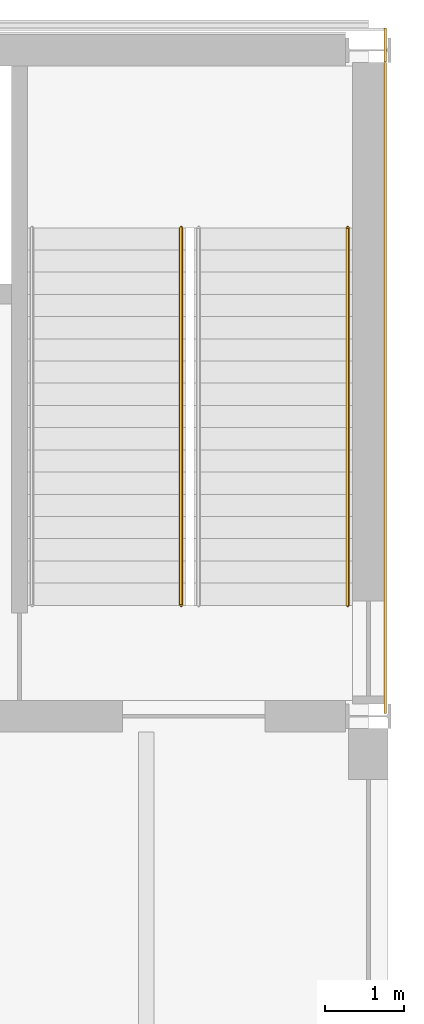
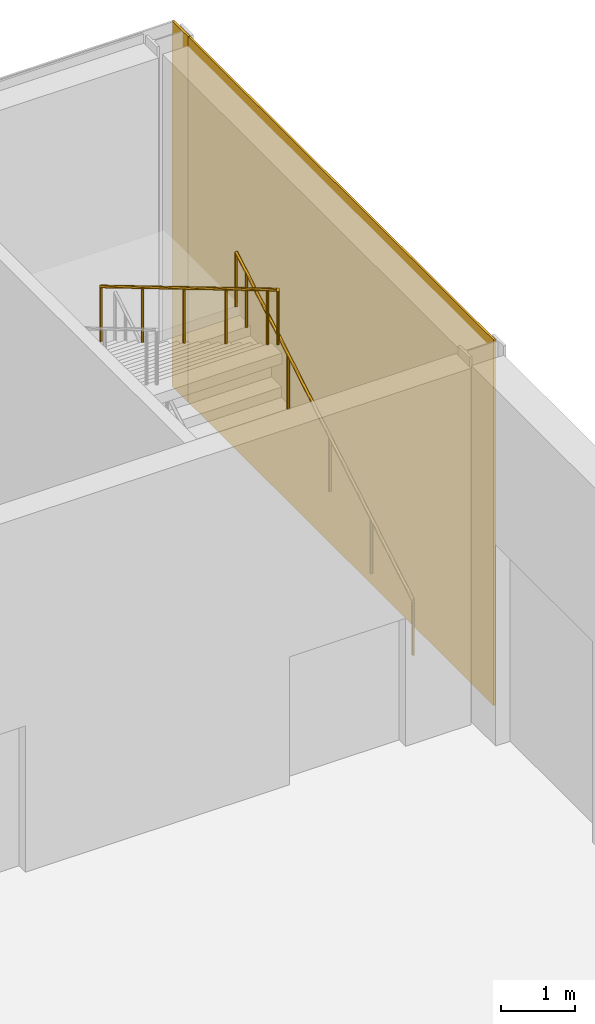
# One storey, part 54 of 55: 2 coverings, 2 railings.
"""IFC4 building model written with IfcOpenShell, lengths in metres."""

from ifc_helpers import new_model, si_unit, direction, frame, origin, origin_2d, place, context, subcontext, project, spatial, rectangle, circle, extrude, material, layer, layer_set, type_object, element, save


model = new_model("IFC4")

# Units and contexts
model_context = context("Model", 3, precision=1e-05, world=origin(), true_north=direction((0.0, 1.0)))
body_context = subcontext(model_context, "Body", "Model", "MODEL_VIEW")
ifc_project = project(units=[si_unit("LENGTHUNIT", "METRE"), si_unit("AREAUNIT", "SQUARE_METRE"), si_unit("VOLUMEUNIT", "CUBIC_METRE"), si_unit("PLANEANGLEUNIT", "RADIAN"), si_unit("MASSUNIT", "GRAM", prefix="KILO")], contexts=[model_context])

# Site, building, storey
site_placement = place(None, origin())
site = spatial("IfcSite", under=ifc_project, at=site_placement, CompositionType="ELEMENT")
building_placement = place(site_placement, origin())
building = spatial("IfcBuilding", under=site, at=building_placement, Name="Galleria Vessillo Department Store", CompositionType="ELEMENT")
storey_placement = place(building_placement, origin())
storey = spatial("IfcBuildingStorey", under=building, at=storey_placement, Name="L00", CompositionType="ELEMENT", Elevation=0.0)

# Coverings
ifc_material_1 = material(Name="Lime plaster (intonaco) ochre")
ifc_layer_1 = layer(ifc_material_1, 0.030029296875)
ifc_layer_set_1 = layer_set([ifc_layer_1], Name="Lime plaster (intonaco) ochre")
covering_type_1 = type_object("IfcCoveringType", Name="Lime plaster render 30 mm", PredefinedType="CLADDING", material=ifc_layer_set_1)
covering_1_placement = place(storey_placement, frame((117.81494140625, 63.06494140625, 0.0), z_axis=(0.0, 0.0, 1.0), x_axis=(1.0, 0.0, 0.0)))
element("IfcCovering", 1, at=covering_1_placement, inside=storey, type_object=covering_type_1, Name="Corner cladding L00 y=63 east face", PredefinedType="CLADDING", context=body_context, shape_type="SweptSolid", body=[
    extrude(rectangle(XDim=0.030029296875, YDim=0.429931640625, at=origin_2d()), origin(), (0.0, 0.0, 1.0), 6.0),
])
ifc_material_2 = material(Name="Botticino limestone ashlar", Category="masonry")
ifc_layer_2 = layer(ifc_material_2, 0.030029296875)
ifc_layer_set_2 = layer_set([ifc_layer_2], Name="Botticino limestone ashlar")
covering_type_2 = type_object("IfcCoveringType", Name="Limestone wall cladding 30 mm", PredefinedType="CLADDING", material=ifc_layer_set_2)
covering_2_placement = place(storey_placement, frame((117.815185546875, 58.739990234375, 0.0), z_axis=(0.0, 0.0, 1.0), x_axis=(1.0, 0.0, 0.0)))
element("IfcCovering", 2, at=covering_2_placement, inside=storey, type_object=covering_type_2, Name="Wall cladding S-CW-TC-EAST-L00", PredefinedType="CLADDING", context=body_context, shape_type="SweptSolid", body=[
    extrude(rectangle(XDim=0.030029296875, YDim=8.2138671875, at=origin_2d()), origin(), (0.0, 0.0, 1.0), 6.0),
])

# Railings
ifc_material_3 = material(Name="Stainless steel tube", Category="steel")
railing_type = type_object("IfcRailingType", Name="Stair handrail steel tube 48 mm", PredefinedType="HANDRAIL", material=ifc_material_3)
railing_1_placement = place(storey_placement, frame((117.33984375, 56.0, 0.166748046875)))
element("IfcRailing", 3, at=railing_1_placement, inside=storey, type_object=railing_type, Name="Handrail ST9 L00 flight 1B", PredefinedType="HANDRAIL", context=body_context, shape_type="SweptSolid", body=[
    extrude(circle(Radius=0.02392578125, at=origin_2d()), frame((0.0, 0.0, 0.89599609375), z_axis=(0.0, 0.859371278866, 0.511352134112), x_axis=(-1.0, 0.0, 0.0)), (0.0, 0.0, 1.0), 1.303466796875),
    extrude(circle(Radius=0.02392578125, at=origin_2d()), frame((0.0, 1.1201171875, 1.5625), z_axis=(0.0, 0.859239953289, 0.511572773584), x_axis=(-1.0, 0.0, 0.0)), (0.0, 0.0, 1.0), 1.30322265625),
    extrude(circle(Radius=0.02392578125, at=origin_2d()), frame((0.0, 2.239990234375, 2.22900390625), z_axis=(0.0, 0.859288964532, 0.511490445104), x_axis=(-1.0, 0.0, 0.0)), (0.0, 0.0, 1.0), 1.303466796875),
    extrude(circle(Radius=0.02392578125, at=origin_2d()), frame((0.0, 3.360107421875, 2.89599609375), z_axis=(0.0, 0.85932228943, 0.511434456103), x_axis=(-1.0, 0.0, 0.0)), (0.0, 0.0, 1.0), 1.30322265625),
    extrude(circle(Radius=0.02392578125, at=origin_2d()), frame((0.0, 4.47998046875, 3.5625), z_axis=(0.0, 0.859206643714, 0.511628716353), x_axis=(-1.0, 0.0, 0.0)), (0.0, 0.0, 1.0), 0.325927734375),
    extrude(circle(Radius=0.02099609375, at=origin_2d()), origin(), (0.0, 0.0, 1.0), 0.871826171875),
    extrude(circle(Radius=0.02099609375, at=origin_2d()), frame((0.0, 1.1201171875, 0.66650390625)), (0.0, 0.0, 1.0), 0.871826171875),
    extrude(circle(Radius=0.02099609375, at=origin_2d()), frame((0.0, 2.239990234375, 1.333251953125)), (0.0, 0.0, 1.0), 0.871826171875),
    extrude(circle(Radius=0.02099609375, at=origin_2d()), frame((0.0, 3.360107421875, 2.0)), (0.0, 0.0, 1.0), 0.871826171875),
    extrude(circle(Radius=0.02099609375, at=origin_2d()), frame((0.0, 4.47998046875, 2.66650390625)), (0.0, 0.0, 1.0), 0.871826171875),
    extrude(circle(Radius=0.02099609375, at=origin_2d()), frame((0.0, 4.760009765625, 2.833251953125)), (0.0, 0.0, 1.0), 0.871826171875),
])
railing_2_placement = place(storey_placement, frame((115.239990234375, 60.760009765625, 3.166748046875)))
element("IfcRailing", 4, at=railing_2_placement, inside=storey, type_object=railing_type, Name="Handrail ST9 L00 flight 2A", PredefinedType="HANDRAIL", context=body_context, shape_type="SweptSolid", body=[
    extrude(circle(Radius=0.02392578125, at=origin_2d()), frame((0.0, 0.0, 0.89599609375), z_axis=(0.0, -0.859371278866, 0.511352134112), x_axis=(1.0, 0.0, 0.0)), (0.0, 0.0, 1.0), 1.303466796875),
    extrude(circle(Radius=0.02392578125, at=origin_2d()), frame((0.0, -1.1201171875, 1.5625), z_axis=(0.0, -0.859239953289, 0.511572773584), x_axis=(1.0, 0.0, 0.0)), (0.0, 0.0, 1.0), 1.30322265625),
    extrude(circle(Radius=0.02392578125, at=origin_2d()), frame((0.0, -2.239990234375, 2.22900390625), z_axis=(0.0, -0.859288964532, 0.511490445104), x_axis=(1.0, 0.0, 0.0)), (0.0, 0.0, 1.0), 1.303466796875),
    extrude(circle(Radius=0.02392578125, at=origin_2d()), frame((0.0, -3.360107421875, 2.89599609375), z_axis=(0.0, -0.85932228943, 0.511434456103), x_axis=(1.0, 0.0, 0.0)), (0.0, 0.0, 1.0), 1.30322265625),
    extrude(circle(Radius=0.02392578125, at=origin_2d()), frame((0.0, -4.47998046875, 3.5625), z_axis=(0.0, -0.859206643714, 0.511628716353), x_axis=(1.0, 0.0, 0.0)), (0.0, 0.0, 1.0), 0.325927734375),
    extrude(circle(Radius=0.02099609375, at=origin_2d()), origin(), (0.0, 0.0, 1.0), 0.871826171875),
    extrude(circle(Radius=0.02099609375, at=origin_2d()), frame((0.0, -1.1201171875, 0.66650390625)), (0.0, 0.0, 1.0), 0.871826171875),
    extrude(circle(Radius=0.02099609375, at=origin_2d()), frame((0.0, -2.239990234375, 1.333251953125)), (0.0, 0.0, 1.0), 0.871826171875),
    extrude(circle(Radius=0.02099609375, at=origin_2d()), frame((0.0, -3.360107421875, 2.0)), (0.0, 0.0, 1.0), 0.871826171875),
    extrude(circle(Radius=0.02099609375, at=origin_2d()), frame((0.0, -4.47998046875, 2.66650390625)), (0.0, 0.0, 1.0), 0.871826171875),
    extrude(circle(Radius=0.02099609375, at=origin_2d()), frame((0.0, -4.760009765625, 2.833251953125)), (0.0, 0.0, 1.0), 0.871826171875),
])

save(model, "model.ifc")
